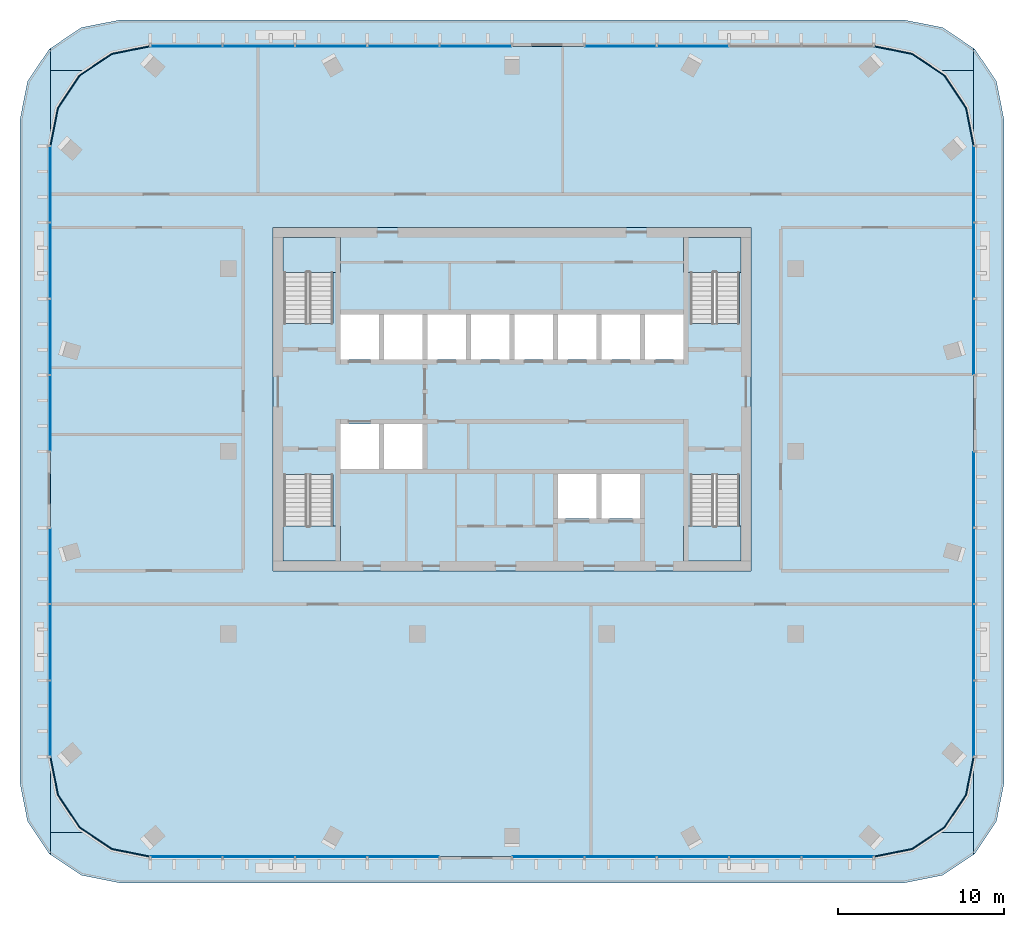
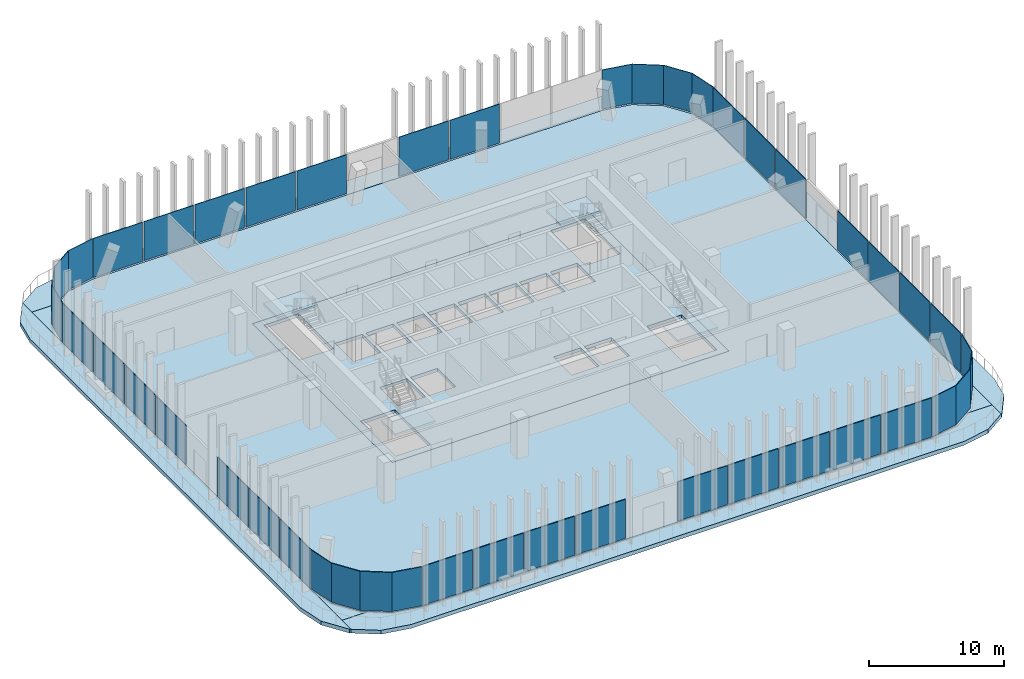
# One storey, part 6 of 16: 34 plates, 14 slabs, 16 elements without a shape of their own.
"""IFC4 building model written with IfcOpenShell, lengths in metres."""

from ifc_helpers import new_model, si_unit, direction, frame, origin, origin_2d, place, context, subcontext, project, spatial, polyline, rectangle, outline, extrude, material, layer, layer_set, type_object, element, aggregate, save


model = new_model("IFC4")

# Units and contexts
model_context = context("Model", 3, precision=1e-05, world=origin(), true_north=direction((0.0, 1.0)))
body_context = subcontext(model_context, "Body", "Model", "MODEL_VIEW")
ifc_project = project(units=[si_unit("LENGTHUNIT", "METRE"), si_unit("AREAUNIT", "SQUARE_METRE"), si_unit("VOLUMEUNIT", "CUBIC_METRE"), si_unit("PLANEANGLEUNIT", "RADIAN"), si_unit("MASSUNIT", "GRAM", prefix="KILO")], contexts=[model_context])

# Site, building, storey
site_placement = place(None, origin())
site = spatial("IfcSite", under=ifc_project, at=site_placement, CompositionType="ELEMENT")
building_placement = place(site_placement, origin())
building = spatial("IfcBuilding", under=site, at=building_placement, Name="Mopane Tessera Tower", CompositionType="ELEMENT")
storey_placement = place(building_placement, frame((0.0, 0.0, 321.39990234375)))
storey = spatial("IfcBuildingStorey", under=building, at=storey_placement, Name="L70", CompositionType="ELEMENT", Elevation=321.39990234375)

# Slab
ifc_material_1 = material(Name="Concrete C40/50", Category="concrete")
ifc_layer_1 = layer(ifc_material_1, 0.300048828125)
ifc_layer_set_1 = layer_set([ifc_layer_1], Name="Concrete C40/50")
slab_type_1 = type_object("IfcSlabType", Name="Core floor slab 300 mm", PredefinedType="FLOOR", material=ifc_layer_set_1)
slab_1_placement = place(storey_placement, frame((0.0, 0.0, -0.2998046875)))
element("IfcSlab", 1, at=slab_1_placement, inside=storey, type_object=slab_type_1, Name="L70 core floor slab", PredefinedType="FLOOR", context=body_context, shape_type="SweptSolid", body=[
    extrude(outline(polyline([(-14.39990234375, -7.199951171875), (14.39990234375, -7.199951171875), (14.39990234375, 13.5), (-14.39990234375, 13.5), (-14.39990234375, -7.199951171875)]), holes=[polyline([(-10.35009765625, -1.050048828125), (-8.02490234375, -1.050048828125), (-8.02490234375, 1.64990234375), (-10.35009765625, 1.64990234375), (-10.35009765625, -1.050048828125)]), polyline([(-7.72509765625, -1.050048828125), (-5.39990234375, -1.050048828125), (-5.39990234375, 1.64990234375), (-7.72509765625, 1.64990234375), (-7.72509765625, -1.050048828125)]), polyline([(-10.35009765625, 5.550048828125), (-8.02490234375, 5.550048828125), (-8.02490234375, 8.25), (-10.35009765625, 8.25), (-10.35009765625, 5.550048828125)]), polyline([(-7.72509765625, 5.550048828125), (-5.39990234375, 5.550048828125), (-5.39990234375, 8.25), (-7.72509765625, 8.25), (-7.72509765625, 5.550048828125)]), polyline([(-5.10009765625, 5.550048828125), (-2.77490234375, 5.550048828125), (-2.77490234375, 8.25), (-5.10009765625, 8.25), (-5.10009765625, 5.550048828125)]), polyline([(-2.47509765625, 5.550048828125), (-0.14990234375, 5.550048828125), (-0.14990234375, 8.25), (-2.47509765625, 8.25), (-2.47509765625, 5.550048828125)]), polyline([(0.14990234375, 5.550048828125), (2.47509765625, 5.550048828125), (2.47509765625, 8.25), (0.14990234375, 8.25), (0.14990234375, 5.550048828125)]), polyline([(2.77490234375, 5.550048828125), (5.10009765625, 5.550048828125), (5.10009765625, 8.25), (2.77490234375, 8.25), (2.77490234375, 5.550048828125)]), polyline([(5.39990234375, 5.550048828125), (7.72509765625, 5.550048828125), (7.72509765625, 8.25), (5.39990234375, 8.25), (5.39990234375, 5.550048828125)]), polyline([(8.02490234375, 5.550048828125), (10.35009765625, 5.550048828125), (10.35009765625, 8.25), (8.02490234375, 8.25), (8.02490234375, 5.550048828125)]), polyline([(2.77490234375, -4.050048828125), (5.10009765625, -4.050048828125), (5.10009765625, -1.35009765625), (2.77490234375, -1.35009765625), (2.77490234375, -4.050048828125)]), polyline([(5.39990234375, -4.050048828125), (7.72509765625, -4.050048828125), (7.72509765625, -1.35009765625), (5.39990234375, -1.35009765625), (5.39990234375, -4.050048828125)]), polyline([(-13.75, -1.405029296875), (-13.75, -6.60009765625), (-10.800048828125, -6.60009765625), (-10.800048828125, -1.405029296875), (-13.75, -1.405029296875)]), polyline([(-10.800048828125, 7.705078125), (-10.800048828125, 12.89990234375), (-13.75, 12.89990234375), (-13.75, 7.705078125), (-10.800048828125, 7.705078125)]), polyline([(10.75, -1.405029296875), (10.75, -6.60009765625), (13.699951171875, -6.60009765625), (13.699951171875, -1.405029296875), (10.75, -1.405029296875)]), polyline([(13.699951171875, 7.705078125), (13.699951171875, 12.89990234375), (10.75, 12.89990234375), (10.75, 7.705078125), (13.699951171875, 7.705078125)])]), origin(), (0.0, 0.0, 1.0), 0.2998046875),
])

# Stair, slab
ifc_material_2 = material(Name="Concrete C50/60", Category="concrete")
stair_type = type_object("IfcStairType", Name="Escape stair 1400 mm, riser 167 mm", PredefinedType="HALF_TURN_STAIR", material=ifc_material_2)
stair_1_placement = place(storey_placement, origin())
stair_1 = element("IfcStair", 2, at=stair_1_placement, inside=storey, type_object=stair_type, Name="L70 Escape stair south-west", PredefinedType="HALF_TURN_STAIR")
ifc_material_3 = material(Name="Concrete C50/60", Category="concrete")
ifc_layer_2 = layer(ifc_material_3, 0.199951171875)
ifc_layer_set_2 = layer_set([ifc_layer_2], Name="Concrete C50/60")
slab_type_2 = type_object("IfcSlabType", Name="Escape stair landing 200 mm", PredefinedType="LANDING", material=ifc_layer_set_2)
slab_2_placement = place(storey_placement, frame((0.0, 0.0, 1.800048828125)))
slab_2 = element("IfcSlab", 3, at=slab_2_placement, type_object=slab_type_2, Name="ST1 landing 1", PredefinedType="LANDING", context=body_context, shape_type="SweptSolid", body=[
    extrude(outline(polyline([(-13.800048828125, -4.47998046875), (-13.800048828125, -6.60009765625), (-10.35009765625, -6.60009765625), (-10.35009765625, -4.47998046875), (-13.800048828125, -4.47998046875)])), origin(), (0.0, 0.0, 1.0), 0.199951171875),
])
aggregate(stair_1, [slab_2])

stair_2_placement = place(storey_placement, origin())
stair_2 = element("IfcStair", 4, at=stair_2_placement, inside=storey, type_object=stair_type, Name="L70 Escape stair north-west", PredefinedType="HALF_TURN_STAIR")
slab_3_placement = place(storey_placement, frame((0.0, 0.0, 1.800048828125)))
slab_3 = element("IfcSlab", 5, at=slab_3_placement, type_object=slab_type_2, Name="ST2 landing 1", PredefinedType="LANDING", context=body_context, shape_type="SweptSolid", body=[
    extrude(outline(polyline([(-10.35009765625, 10.780029296875), (-10.35009765625, 12.89990234375), (-13.800048828125, 12.89990234375), (-13.800048828125, 10.780029296875), (-10.35009765625, 10.780029296875)])), origin(), (0.0, 0.0, 1.0), 0.199951171875),
])
aggregate(stair_2, [slab_3])

stair_3_placement = place(storey_placement, origin())
stair_3 = element("IfcStair", 6, at=stair_3_placement, inside=storey, type_object=stair_type, Name="L70 Escape stair south-east", PredefinedType="HALF_TURN_STAIR")
slab_4_placement = place(storey_placement, frame((0.0, 0.0, 1.800048828125)))
slab_4 = element("IfcSlab", 7, at=slab_4_placement, type_object=slab_type_2, Name="ST3 landing 1", PredefinedType="LANDING", context=body_context, shape_type="SweptSolid", body=[
    extrude(outline(polyline([(10.35009765625, -4.47998046875), (10.35009765625, -6.60009765625), (13.800048828125, -6.60009765625), (13.800048828125, -4.47998046875), (10.35009765625, -4.47998046875)])), origin(), (0.0, 0.0, 1.0), 0.199951171875),
])
aggregate(stair_3, [slab_4])

stair_4_placement = place(storey_placement, origin())
stair_4 = element("IfcStair", 8, at=stair_4_placement, inside=storey, type_object=stair_type, Name="L70 Escape stair north-east", PredefinedType="HALF_TURN_STAIR")
slab_5_placement = place(storey_placement, frame((0.0, 0.0, 1.800048828125)))
slab_5 = element("IfcSlab", 9, at=slab_5_placement, type_object=slab_type_2, Name="ST4 landing 1", PredefinedType="LANDING", context=body_context, shape_type="SweptSolid", body=[
    extrude(outline(polyline([(13.800048828125, 10.780029296875), (13.800048828125, 12.89990234375), (10.35009765625, 12.89990234375), (10.35009765625, 10.780029296875), (13.800048828125, 10.780029296875)])), origin(), (0.0, 0.0, 1.0), 0.199951171875),
])
aggregate(stair_4, [slab_5])

# Slabs
ifc_material_4 = material(Name="Concrete C40/50", Category="concrete")
ifc_layer_3 = layer(ifc_material_4, 0.35009765625)
ifc_layer_set_3 = layer_set([ifc_layer_3], Name="Concrete C40/50")
slab_type_3 = type_object("IfcSlabType", Name="Post-tensioned flat plate 350 mm", PredefinedType="FLOOR", material=ifc_layer_set_3)
slab_6_placement = place(storey_placement, frame((0.0, 0.0, -0.349853515625)))
element("IfcSlab", 10, at=slab_6_placement, inside=storey, type_object=slab_type_3, Name="Floor slab L70", PredefinedType="FLOOR", context=body_context, shape_type="SweptSolid", body=[
    extrude(outline(polyline([(-21.800048828125, -24.39990234375), (21.800048828125, -24.39990234375), (24.09619140625, -23.943359375), (26.042724609375, -22.642578125), (27.34326171875, -20.696044921875), (27.800048828125, -18.39990234375), (27.800048828125, 18.39990234375), (27.34326171875, 20.696044921875), (26.042724609375, 22.642578125), (24.09619140625, 23.943359375), (21.800048828125, 24.39990234375), (-21.800048828125, 24.39990234375), (-24.09619140625, 23.943359375), (-26.042724609375, 22.642578125), (-27.34326171875, 20.696044921875), (-27.800048828125, 18.39990234375), (-27.800048828125, -18.39990234375), (-27.34326171875, -20.696044921875), (-26.042724609375, -22.642578125), (-24.09619140625, -23.943359375), (-21.800048828125, -24.39990234375)]), holes=[polyline([(14.39990234375, -7.199951171875), (-14.39990234375, -7.199951171875), (-14.39990234375, 13.5), (14.39990234375, 13.5), (14.39990234375, -7.199951171875)])]), origin(), (0.0, 0.0, 1.0), 0.349853515625),
])
ifc_material_5 = material(Name="Concrete C40/50", Category="concrete")
ifc_layer_4 = layer(ifc_material_5, 0.35009765625)
ifc_layer_set_4 = layer_set([ifc_layer_4], Name="Concrete C40/50")
slab_type_4 = type_object("IfcSlabType", Name="Setback roof terrace slab 350 mm", PredefinedType="ROOF", material=ifc_layer_set_4)
slab_7_placement = place(storey_placement, frame((0.0, 0.0, -0.349853515625)))
element("IfcSlab", 11, at=slab_7_placement, inside=storey, type_object=slab_type_4, Name="Setback terrace slab L70", PredefinedType="ROOF", context=body_context, shape_type="SweptSolid", body=[
    extrude(outline(polyline([(-27.800048828125, -24.304443359375), (-27.800048828125, -18.39990234375), (-27.800048828125, 18.39990234375), (-27.800048828125, 24.304443359375), (-27.892578125, 24.24267578125), (-29.193359375, 22.296142578125), (-29.64990234375, 20.0), (-29.64990234375, -20.0), (-29.193359375, -22.296142578125), (-27.892578125, -24.24267578125), (-27.800048828125, -24.304443359375)])), origin(), (0.0, 0.0, 1.0), 0.349853515625),
])
slab_8_placement = place(storey_placement, frame((0.0, 0.0, -0.349853515625)))
element("IfcSlab", 12, at=slab_8_placement, inside=storey, type_object=slab_type_4, Name="Setback terrace slab L70", PredefinedType="ROOF", context=body_context, shape_type="SweptSolid", body=[
    extrude(outline(polyline([(-27.800048828125, -18.39990234375), (-27.800048828125, -22.9599609375), (-25.567626953125, -22.9599609375), (-26.042724609375, -22.642578125), (-27.34326171875, -20.696044921875), (-27.800048828125, -18.39990234375)])), origin(), (0.0, 0.0, 1.0), 0.349853515625),
])
slab_9_placement = place(storey_placement, frame((0.0, 0.0, -0.349853515625)))
element("IfcSlab", 13, at=slab_9_placement, inside=storey, type_object=slab_type_4, Name="Setback terrace slab L70", PredefinedType="ROOF", context=body_context, shape_type="SweptSolid", body=[
    extrude(outline(polyline([(-25.567626953125, 22.9599609375), (-27.800048828125, 22.9599609375), (-27.800048828125, 18.39990234375), (-27.34326171875, 20.696044921875), (-26.042724609375, 22.642578125), (-25.567626953125, 22.9599609375)])), origin(), (0.0, 0.0, 1.0), 0.349853515625),
])
slab_10_placement = place(storey_placement, frame((0.0, 0.0, -0.349853515625)))
element("IfcSlab", 14, at=slab_10_placement, inside=storey, type_object=slab_type_4, Name="Setback terrace slab L70", PredefinedType="ROOF", context=body_context, shape_type="SweptSolid", body=[
    extrude(outline(polyline([(-21.800048828125, -24.39990234375), (-24.09619140625, -23.943359375), (-25.567626953125, -22.9599609375), (-27.800048828125, -22.9599609375), (-27.800048828125, -24.304443359375), (-27.6572265625, -24.39990234375), (-25.946044921875, -25.543212890625), (-23.64990234375, -26.0), (23.64990234375, -26.0), (25.946044921875, -25.543212890625), (27.6572265625, -24.39990234375), (27.800048828125, -24.304443359375), (27.800048828125, -22.9599609375), (25.567626953125, -22.9599609375), (24.09619140625, -23.943359375), (21.800048828125, -24.39990234375), (-21.800048828125, -24.39990234375)])), origin(), (0.0, 0.0, 1.0), 0.349853515625),
])
slab_11_placement = place(storey_placement, frame((0.0, 0.0, -0.349853515625)))
element("IfcSlab", 15, at=slab_11_placement, inside=storey, type_object=slab_type_4, Name="Setback terrace slab L70", PredefinedType="ROOF", context=body_context, shape_type="SweptSolid", body=[
    extrude(outline(polyline([(21.800048828125, 24.39990234375), (24.09619140625, 23.943359375), (25.567626953125, 22.9599609375), (27.800048828125, 22.9599609375), (27.800048828125, 24.304443359375), (27.6572265625, 24.39990234375), (25.946044921875, 25.543212890625), (23.64990234375, 26.0), (-23.64990234375, 26.0), (-25.946044921875, 25.543212890625), (-27.6572265625, 24.39990234375), (-27.800048828125, 24.304443359375), (-27.800048828125, 22.9599609375), (-25.567626953125, 22.9599609375), (-24.09619140625, 23.943359375), (-21.800048828125, 24.39990234375), (21.800048828125, 24.39990234375)])), origin(), (0.0, 0.0, 1.0), 0.349853515625),
])
slab_12_placement = place(storey_placement, frame((0.0, 0.0, -0.349853515625)))
element("IfcSlab", 16, at=slab_12_placement, inside=storey, type_object=slab_type_4, Name="Setback terrace slab L70", PredefinedType="ROOF", context=body_context, shape_type="SweptSolid", body=[
    extrude(outline(polyline([(25.567626953125, -22.9599609375), (27.800048828125, -22.9599609375), (27.800048828125, -18.39990234375), (27.34326171875, -20.696044921875), (26.042724609375, -22.642578125), (25.567626953125, -22.9599609375)])), origin(), (0.0, 0.0, 1.0), 0.349853515625),
])
slab_13_placement = place(storey_placement, frame((0.0, 0.0, -0.349853515625)))
element("IfcSlab", 17, at=slab_13_placement, inside=storey, type_object=slab_type_4, Name="Setback terrace slab L70", PredefinedType="ROOF", context=body_context, shape_type="SweptSolid", body=[
    extrude(outline(polyline([(27.800048828125, 18.39990234375), (27.800048828125, 22.9599609375), (25.567626953125, 22.9599609375), (26.042724609375, 22.642578125), (27.34326171875, 20.696044921875), (27.800048828125, 18.39990234375)])), origin(), (0.0, 0.0, 1.0), 0.349853515625),
])
slab_14_placement = place(storey_placement, frame((0.0, 0.0, -0.349853515625)))
element("IfcSlab", 18, at=slab_14_placement, inside=storey, type_object=slab_type_4, Name="Setback terrace slab L70", PredefinedType="ROOF", context=body_context, shape_type="SweptSolid", body=[
    extrude(outline(polyline([(27.800048828125, 24.304443359375), (27.800048828125, 18.39990234375), (27.800048828125, -18.39990234375), (27.800048828125, -24.304443359375), (27.892578125, -24.24267578125), (29.193359375, -22.296142578125), (29.64990234375, -20.0), (29.64990234375, 20.0), (29.193359375, 22.296142578125), (27.892578125, 24.24267578125), (27.800048828125, 24.304443359375)])), origin(), (0.0, 0.0, 1.0), 0.349853515625),
])

# Curtain wall, plates
ifc_material_6 = material(Name="Aluminium frame", Category="aluminium")
curtain_wall_type = type_object("IfcCurtainWallType", Name="Unitised curtain wall", PredefinedType="NOTDEFINED", material=ifc_material_6)
curtain_wall_1_placement = place(storey_placement, origin())
curtain_wall_1 = element("IfcCurtainWall", 19, at=curtain_wall_1_placement, inside=storey, type_object=curtain_wall_type, Name="e:cw:L70:S:0", PredefinedType="NOTDEFINED")
ifc_material_7 = material(Name="Clear laminated glass", Category="glass")
ifc_layer_5 = layer(ifc_material_7, 0.06005859375)
ifc_layer_set_5 = layer_set([ifc_layer_5], Name="Clear laminated glass")
plate_type = type_object("IfcPlateType", Name="Unitised glazed unit", PredefinedType="CURTAIN_PANEL", material=ifc_layer_set_5)
plate_1_placement = place(storey_placement, frame((-19.6201171875, -24.429931640625, 0.1201171875), z_axis=(0.0, 0.0, 1.0), x_axis=(1.0, 0.0, 0.0)))
plate_1 = element("IfcPlate", 20, at=plate_1_placement, type_object=plate_type, Name="e:cw:L70:S:0:pn0", PredefinedType="CURTAIN_PANEL", context=body_context, shape_type="SweptSolid", body=[
    extrude(rectangle(XDim=4.260009765625, YDim=0.06005859375, at=origin_2d()), origin(), (0.0, 0.0, 1.0), 3.530029296875),
])
plate_2_placement = place(storey_placement, frame((-15.260009765625, -24.429931640625, 0.1201171875), z_axis=(0.0, 0.0, 1.0), x_axis=(1.0, 0.0, 0.0)))
plate_2 = element("IfcPlate", 21, at=plate_2_placement, type_object=plate_type, Name="e:cw:L70:S:0:pn1", PredefinedType="CURTAIN_PANEL", context=body_context, shape_type="SweptSolid", body=[
    extrude(rectangle(XDim=4.260009765625, YDim=0.06005859375, at=origin_2d()), origin(), (0.0, 0.0, 1.0), 3.530029296875),
])
plate_3_placement = place(storey_placement, frame((-10.89990234375, -24.429931640625, 0.1201171875), z_axis=(0.0, 0.0, 1.0), x_axis=(1.0, 0.0, 0.0)))
plate_3 = element("IfcPlate", 22, at=plate_3_placement, type_object=plate_type, Name="e:cw:L70:S:0:pn2", PredefinedType="CURTAIN_PANEL", context=body_context, shape_type="SweptSolid", body=[
    extrude(rectangle(XDim=4.260009765625, YDim=0.06005859375, at=origin_2d()), origin(), (0.0, 0.0, 1.0), 3.530029296875),
])
plate_4_placement = place(storey_placement, frame((-6.5400390625, -24.429931640625, 0.1201171875), z_axis=(0.0, 0.0, 1.0), x_axis=(1.0, 0.0, 0.0)))
plate_4 = element("IfcPlate", 23, at=plate_4_placement, type_object=plate_type, Name="e:cw:L70:S:0:pn3", PredefinedType="CURTAIN_PANEL", context=body_context, shape_type="SweptSolid", body=[
    extrude(rectangle(XDim=4.260009765625, YDim=0.06005859375, at=origin_2d()), origin(), (0.0, 0.0, 1.0), 3.530029296875),
])
aggregate(curtain_wall_1, [plate_1, plate_2, plate_3, plate_4])

curtain_wall_2_placement = place(storey_placement, origin())
curtain_wall_2 = element("IfcCurtainWall", 24, at=curtain_wall_2_placement, inside=storey, type_object=curtain_wall_type, Name="e:cw:L70:S:5", PredefinedType="NOTDEFINED")
plate_5_placement = place(storey_placement, frame((2.179931640625, -24.429931640625, 0.1201171875), z_axis=(0.0, 0.0, 1.0), x_axis=(1.0, 0.0, 0.0)))
plate_5 = element("IfcPlate", 25, at=plate_5_placement, type_object=plate_type, Name="e:cw:L70:S:5:pn5", PredefinedType="CURTAIN_PANEL", context=body_context, shape_type="SweptSolid", body=[
    extrude(rectangle(XDim=4.260009765625, YDim=0.06005859375, at=origin_2d()), origin(), (0.0, 0.0, 1.0), 3.530029296875),
])
plate_6_placement = place(storey_placement, frame((6.5400390625, -24.429931640625, 0.1201171875), z_axis=(0.0, 0.0, 1.0), x_axis=(1.0, 0.0, 0.0)))
plate_6 = element("IfcPlate", 26, at=plate_6_placement, type_object=plate_type, Name="e:cw:L70:S:5:pn6", PredefinedType="CURTAIN_PANEL", context=body_context, shape_type="SweptSolid", body=[
    extrude(rectangle(XDim=4.260009765625, YDim=0.06005859375, at=origin_2d()), origin(), (0.0, 0.0, 1.0), 3.530029296875),
])
plate_7_placement = place(storey_placement, frame((10.89990234375, -24.429931640625, 0.1201171875), z_axis=(0.0, 0.0, 1.0), x_axis=(1.0, 0.0, 0.0)))
plate_7 = element("IfcPlate", 27, at=plate_7_placement, type_object=plate_type, Name="e:cw:L70:S:5:pn7", PredefinedType="CURTAIN_PANEL", context=body_context, shape_type="SweptSolid", body=[
    extrude(rectangle(XDim=4.260009765625, YDim=0.06005859375, at=origin_2d()), origin(), (0.0, 0.0, 1.0), 3.530029296875),
])
plate_8_placement = place(storey_placement, frame((15.260009765625, -24.429931640625, 0.1201171875), z_axis=(0.0, 0.0, 1.0), x_axis=(1.0, 0.0, 0.0)))
plate_8 = element("IfcPlate", 28, at=plate_8_placement, type_object=plate_type, Name="e:cw:L70:S:5:pn8", PredefinedType="CURTAIN_PANEL", context=body_context, shape_type="SweptSolid", body=[
    extrude(rectangle(XDim=4.260009765625, YDim=0.06005859375, at=origin_2d()), origin(), (0.0, 0.0, 1.0), 3.530029296875),
])
plate_9_placement = place(storey_placement, frame((19.6201171875, -24.429931640625, 0.1201171875), z_axis=(0.0, 0.0, 1.0), x_axis=(1.0, 0.0, 0.0)))
plate_9 = element("IfcPlate", 29, at=plate_9_placement, type_object=plate_type, Name="e:cw:L70:S:5:pn9", PredefinedType="CURTAIN_PANEL", context=body_context, shape_type="SweptSolid", body=[
    extrude(rectangle(XDim=4.260009765625, YDim=0.06005859375, at=origin_2d()), origin(), (0.0, 0.0, 1.0), 3.530029296875),
])
aggregate(curtain_wall_2, [plate_5, plate_6, plate_7, plate_8, plate_9])

# Curtain wall, plate
curtain_wall_3_placement = place(storey_placement, origin())
curtain_wall_3 = element("IfcCurtainWall", 30, at=curtain_wall_3_placement, inside=storey, type_object=curtain_wall_type, Name="e:cw:L70:CS", PredefinedType="NOTDEFINED")
plate_10_placement = place(storey_placement, frame((0.0, 0.0, 0.1201171875)))
plate_10 = element("IfcPlate", 31, at=plate_10_placement, type_object=plate_type, Name="e:cw:L70:CS:pn", PredefinedType="CURTAIN_PANEL", context=body_context, shape_type="SweptSolid", body=[
    extrude(outline(polyline([(21.800048828125, -24.39990234375), (24.09619140625, -23.943359375), (26.042724609375, -22.642578125), (27.34326171875, -20.696044921875), (27.800048828125, -18.39990234375), (27.860107421875, -18.39990234375), (27.398681640625, -20.718994140625), (26.0849609375, -22.68505859375), (24.119140625, -23.998779296875), (21.800048828125, -24.4599609375), (21.800048828125, -24.39990234375)])), origin(), (0.0, 0.0, 1.0), 3.530029296875),
])
aggregate(curtain_wall_3, [plate_10])

# Curtain wall, plates
curtain_wall_4_placement = place(storey_placement, origin())
curtain_wall_4 = element("IfcCurtainWall", 32, at=curtain_wall_4_placement, inside=storey, type_object=curtain_wall_type, Name="e:cw:L70:E:0", PredefinedType="NOTDEFINED")
plate_11_placement = place(storey_placement, frame((27.830078125, -16.10009765625, 0.1201171875), z_axis=(0.0, 0.0, 1.0), x_axis=(0.0, 1.0, 0.0)))
plate_11 = element("IfcPlate", 33, at=plate_11_placement, type_object=plate_type, Name="e:cw:L70:E:0:pn0", PredefinedType="CURTAIN_PANEL", context=body_context, shape_type="SweptSolid", body=[
    extrude(rectangle(XDim=4.5, YDim=0.06005859375, at=origin_2d()), origin(), (0.0, 0.0, 1.0), 3.530029296875),
])
plate_12_placement = place(storey_placement, frame((27.830078125, -11.5, 0.1201171875), z_axis=(0.0, 0.0, 1.0), x_axis=(0.0, 1.0, 0.0)))
plate_12 = element("IfcPlate", 34, at=plate_12_placement, type_object=plate_type, Name="e:cw:L70:E:0:pn1", PredefinedType="CURTAIN_PANEL", context=body_context, shape_type="SweptSolid", body=[
    extrude(rectangle(XDim=4.5, YDim=0.06005859375, at=origin_2d()), origin(), (0.0, 0.0, 1.0), 3.530029296875),
])
plate_13_placement = place(storey_placement, frame((27.830078125, -6.89990234375, 0.1201171875), z_axis=(0.0, 0.0, 1.0), x_axis=(0.0, 1.0, 0.0)))
plate_13 = element("IfcPlate", 35, at=plate_13_placement, type_object=plate_type, Name="e:cw:L70:E:0:pn2", PredefinedType="CURTAIN_PANEL", context=body_context, shape_type="SweptSolid", body=[
    extrude(rectangle(XDim=4.5, YDim=0.06005859375, at=origin_2d()), origin(), (0.0, 0.0, 1.0), 3.530029296875),
])
plate_14_placement = place(storey_placement, frame((27.830078125, -2.300048828125, 0.1201171875), z_axis=(0.0, 0.0, 1.0), x_axis=(0.0, 1.0, 0.0)))
plate_14 = element("IfcPlate", 36, at=plate_14_placement, type_object=plate_type, Name="e:cw:L70:E:0:pn3", PredefinedType="CURTAIN_PANEL", context=body_context, shape_type="SweptSolid", body=[
    extrude(rectangle(XDim=4.5, YDim=0.06005859375, at=origin_2d()), origin(), (0.0, 0.0, 1.0), 3.530029296875),
])
aggregate(curtain_wall_4, [plate_11, plate_12, plate_13, plate_14])

curtain_wall_5_placement = place(storey_placement, origin())
curtain_wall_5 = element("IfcCurtainWall", 37, at=curtain_wall_5_placement, inside=storey, type_object=curtain_wall_type, Name="e:cw:L70:E:5", PredefinedType="NOTDEFINED")
plate_15_placement = place(storey_placement, frame((27.830078125, 6.89990234375, 0.1201171875), z_axis=(0.0, 0.0, 1.0), x_axis=(0.0, 1.0, 0.0)))
plate_15 = element("IfcPlate", 38, at=plate_15_placement, type_object=plate_type, Name="e:cw:L70:E:5:pn5", PredefinedType="CURTAIN_PANEL", context=body_context, shape_type="SweptSolid", body=[
    extrude(rectangle(XDim=4.5, YDim=0.06005859375, at=origin_2d()), origin(), (0.0, 0.0, 1.0), 3.530029296875),
])
plate_16_placement = place(storey_placement, frame((27.830078125, 11.5, 0.1201171875), z_axis=(0.0, 0.0, 1.0), x_axis=(0.0, 1.0, 0.0)))
plate_16 = element("IfcPlate", 39, at=plate_16_placement, type_object=plate_type, Name="e:cw:L70:E:5:pn6", PredefinedType="CURTAIN_PANEL", context=body_context, shape_type="SweptSolid", body=[
    extrude(rectangle(XDim=4.5, YDim=0.06005859375, at=origin_2d()), origin(), (0.0, 0.0, 1.0), 3.530029296875),
])
plate_17_placement = place(storey_placement, frame((27.830078125, 16.10009765625, 0.1201171875), z_axis=(0.0, 0.0, 1.0), x_axis=(0.0, 1.0, 0.0)))
plate_17 = element("IfcPlate", 40, at=plate_17_placement, type_object=plate_type, Name="e:cw:L70:E:5:pn7", PredefinedType="CURTAIN_PANEL", context=body_context, shape_type="SweptSolid", body=[
    extrude(rectangle(XDim=4.5, YDim=0.06005859375, at=origin_2d()), origin(), (0.0, 0.0, 1.0), 3.530029296875),
])
aggregate(curtain_wall_5, [plate_15, plate_16, plate_17])

# Curtain wall, plate
curtain_wall_6_placement = place(storey_placement, origin())
curtain_wall_6 = element("IfcCurtainWall", 41, at=curtain_wall_6_placement, inside=storey, type_object=curtain_wall_type, Name="e:cw:L70:CE", PredefinedType="NOTDEFINED")
plate_18_placement = place(storey_placement, frame((0.0, 0.0, 0.1201171875)))
plate_18 = element("IfcPlate", 42, at=plate_18_placement, type_object=plate_type, Name="e:cw:L70:CE:pn", PredefinedType="CURTAIN_PANEL", context=body_context, shape_type="SweptSolid", body=[
    extrude(outline(polyline([(27.800048828125, 18.39990234375), (27.34326171875, 20.696044921875), (26.042724609375, 22.642578125), (24.09619140625, 23.943359375), (21.800048828125, 24.39990234375), (21.800048828125, 24.4599609375), (24.119140625, 23.998779296875), (26.0849609375, 22.68505859375), (27.398681640625, 20.718994140625), (27.860107421875, 18.39990234375), (27.800048828125, 18.39990234375)])), origin(), (0.0, 0.0, 1.0), 3.530029296875),
])
aggregate(curtain_wall_6, [plate_18])

# Curtain wall, plates
curtain_wall_7_placement = place(storey_placement, origin())
curtain_wall_7 = element("IfcCurtainWall", 43, at=curtain_wall_7_placement, inside=storey, type_object=curtain_wall_type, Name="e:cw:L70:N:0", PredefinedType="NOTDEFINED")
plate_19_placement = place(storey_placement, frame((10.89990234375, 24.429931640625, 0.1201171875), z_axis=(0.0, 0.0, 1.0), x_axis=(-1.0, 0.0, 0.0)))
plate_19 = element("IfcPlate", 44, at=plate_19_placement, type_object=plate_type, Name="e:cw:L70:N:0:pn2", PredefinedType="CURTAIN_PANEL", context=body_context, shape_type="SweptSolid", body=[
    extrude(rectangle(XDim=4.260009765625, YDim=0.06005859375, at=origin_2d()), origin(), (0.0, 0.0, 1.0), 3.530029296875),
])
plate_20_placement = place(storey_placement, frame((6.5400390625, 24.429931640625, 0.1201171875), z_axis=(0.0, 0.0, 1.0), x_axis=(-1.0, 0.0, 0.0)))
plate_20 = element("IfcPlate", 45, at=plate_20_placement, type_object=plate_type, Name="e:cw:L70:N:0:pn3", PredefinedType="CURTAIN_PANEL", context=body_context, shape_type="SweptSolid", body=[
    extrude(rectangle(XDim=4.260009765625, YDim=0.06005859375, at=origin_2d()), origin(), (0.0, 0.0, 1.0), 3.530029296875),
])
aggregate(curtain_wall_7, [plate_19, plate_20])

curtain_wall_8_placement = place(storey_placement, origin())
curtain_wall_8 = element("IfcCurtainWall", 46, at=curtain_wall_8_placement, inside=storey, type_object=curtain_wall_type, Name="e:cw:L70:N:5", PredefinedType="NOTDEFINED")
plate_21_placement = place(storey_placement, frame((-2.179931640625, 24.429931640625, 0.1201171875), z_axis=(0.0, 0.0, 1.0), x_axis=(-1.0, 0.0, 0.0)))
plate_21 = element("IfcPlate", 47, at=plate_21_placement, type_object=plate_type, Name="e:cw:L70:N:5:pn5", PredefinedType="CURTAIN_PANEL", context=body_context, shape_type="SweptSolid", body=[
    extrude(rectangle(XDim=4.260009765625, YDim=0.06005859375, at=origin_2d()), origin(), (0.0, 0.0, 1.0), 3.530029296875),
])
plate_22_placement = place(storey_placement, frame((-6.5400390625, 24.429931640625, 0.1201171875), z_axis=(0.0, 0.0, 1.0), x_axis=(-1.0, 0.0, 0.0)))
plate_22 = element("IfcPlate", 48, at=plate_22_placement, type_object=plate_type, Name="e:cw:L70:N:5:pn6", PredefinedType="CURTAIN_PANEL", context=body_context, shape_type="SweptSolid", body=[
    extrude(rectangle(XDim=4.260009765625, YDim=0.06005859375, at=origin_2d()), origin(), (0.0, 0.0, 1.0), 3.530029296875),
])
plate_23_placement = place(storey_placement, frame((-10.89990234375, 24.429931640625, 0.1201171875), z_axis=(0.0, 0.0, 1.0), x_axis=(-1.0, 0.0, 0.0)))
plate_23 = element("IfcPlate", 49, at=plate_23_placement, type_object=plate_type, Name="e:cw:L70:N:5:pn7", PredefinedType="CURTAIN_PANEL", context=body_context, shape_type="SweptSolid", body=[
    extrude(rectangle(XDim=4.260009765625, YDim=0.06005859375, at=origin_2d()), origin(), (0.0, 0.0, 1.0), 3.530029296875),
])
plate_24_placement = place(storey_placement, frame((-15.260009765625, 24.429931640625, 0.1201171875), z_axis=(0.0, 0.0, 1.0), x_axis=(-1.0, 0.0, 0.0)))
plate_24 = element("IfcPlate", 50, at=plate_24_placement, type_object=plate_type, Name="e:cw:L70:N:5:pn8", PredefinedType="CURTAIN_PANEL", context=body_context, shape_type="SweptSolid", body=[
    extrude(rectangle(XDim=4.260009765625, YDim=0.06005859375, at=origin_2d()), origin(), (0.0, 0.0, 1.0), 3.530029296875),
])
plate_25_placement = place(storey_placement, frame((-19.6201171875, 24.429931640625, 0.1201171875), z_axis=(0.0, 0.0, 1.0), x_axis=(-1.0, 0.0, 0.0)))
plate_25 = element("IfcPlate", 51, at=plate_25_placement, type_object=plate_type, Name="e:cw:L70:N:5:pn9", PredefinedType="CURTAIN_PANEL", context=body_context, shape_type="SweptSolid", body=[
    extrude(rectangle(XDim=4.260009765625, YDim=0.06005859375, at=origin_2d()), origin(), (0.0, 0.0, 1.0), 3.530029296875),
])
aggregate(curtain_wall_8, [plate_21, plate_22, plate_23, plate_24, plate_25])

# Curtain wall, plate
curtain_wall_9_placement = place(storey_placement, origin())
curtain_wall_9 = element("IfcCurtainWall", 52, at=curtain_wall_9_placement, inside=storey, type_object=curtain_wall_type, Name="e:cw:L70:CN", PredefinedType="NOTDEFINED")
plate_26_placement = place(storey_placement, frame((0.0, 0.0, 0.1201171875)))
plate_26 = element("IfcPlate", 53, at=plate_26_placement, type_object=plate_type, Name="e:cw:L70:CN:pn", PredefinedType="CURTAIN_PANEL", context=body_context, shape_type="SweptSolid", body=[
    extrude(outline(polyline([(-21.800048828125, 24.39990234375), (-24.09619140625, 23.943359375), (-26.042724609375, 22.642578125), (-27.34326171875, 20.696044921875), (-27.800048828125, 18.39990234375), (-27.860107421875, 18.39990234375), (-27.398681640625, 20.718994140625), (-26.0849609375, 22.68505859375), (-24.119140625, 23.998779296875), (-21.800048828125, 24.4599609375), (-21.800048828125, 24.39990234375)])), origin(), (0.0, 0.0, 1.0), 3.530029296875),
])
aggregate(curtain_wall_9, [plate_26])

# Curtain wall, plates
curtain_wall_10_placement = place(storey_placement, origin())
curtain_wall_10 = element("IfcCurtainWall", 54, at=curtain_wall_10_placement, inside=storey, type_object=curtain_wall_type, Name="e:cw:L70:W:0", PredefinedType="NOTDEFINED")
plate_27_placement = place(storey_placement, frame((-27.830078125, 16.10009765625, 0.1201171875), z_axis=(0.0, 0.0, 1.0), x_axis=(0.0, -1.0, 0.0)))
plate_27 = element("IfcPlate", 55, at=plate_27_placement, type_object=plate_type, Name="e:cw:L70:W:0:pn0", PredefinedType="CURTAIN_PANEL", context=body_context, shape_type="SweptSolid", body=[
    extrude(rectangle(XDim=4.5, YDim=0.06005859375, at=origin_2d()), origin(), (0.0, 0.0, 1.0), 3.530029296875),
])
plate_28_placement = place(storey_placement, frame((-27.830078125, 11.5, 0.1201171875), z_axis=(0.0, 0.0, 1.0), x_axis=(0.0, -1.0, 0.0)))
plate_28 = element("IfcPlate", 56, at=plate_28_placement, type_object=plate_type, Name="e:cw:L70:W:0:pn1", PredefinedType="CURTAIN_PANEL", context=body_context, shape_type="SweptSolid", body=[
    extrude(rectangle(XDim=4.5, YDim=0.06005859375, at=origin_2d()), origin(), (0.0, 0.0, 1.0), 3.530029296875),
])
plate_29_placement = place(storey_placement, frame((-27.830078125, 6.89990234375, 0.1201171875), z_axis=(0.0, 0.0, 1.0), x_axis=(0.0, -1.0, 0.0)))
plate_29 = element("IfcPlate", 57, at=plate_29_placement, type_object=plate_type, Name="e:cw:L70:W:0:pn2", PredefinedType="CURTAIN_PANEL", context=body_context, shape_type="SweptSolid", body=[
    extrude(rectangle(XDim=4.5, YDim=0.06005859375, at=origin_2d()), origin(), (0.0, 0.0, 1.0), 3.530029296875),
])
plate_30_placement = place(storey_placement, frame((-27.830078125, 2.300048828125, 0.1201171875), z_axis=(0.0, 0.0, 1.0), x_axis=(0.0, -1.0, 0.0)))
plate_30 = element("IfcPlate", 58, at=plate_30_placement, type_object=plate_type, Name="e:cw:L70:W:0:pn3", PredefinedType="CURTAIN_PANEL", context=body_context, shape_type="SweptSolid", body=[
    extrude(rectangle(XDim=4.5, YDim=0.06005859375, at=origin_2d()), origin(), (0.0, 0.0, 1.0), 3.530029296875),
])
aggregate(curtain_wall_10, [plate_27, plate_28, plate_29, plate_30])

curtain_wall_11_placement = place(storey_placement, origin())
curtain_wall_11 = element("IfcCurtainWall", 59, at=curtain_wall_11_placement, inside=storey, type_object=curtain_wall_type, Name="e:cw:L70:W:5", PredefinedType="NOTDEFINED")
plate_31_placement = place(storey_placement, frame((-27.830078125, -6.89990234375, 0.1201171875), z_axis=(0.0, 0.0, 1.0), x_axis=(0.0, -1.0, 0.0)))
plate_31 = element("IfcPlate", 60, at=plate_31_placement, type_object=plate_type, Name="e:cw:L70:W:5:pn5", PredefinedType="CURTAIN_PANEL", context=body_context, shape_type="SweptSolid", body=[
    extrude(rectangle(XDim=4.5, YDim=0.06005859375, at=origin_2d()), origin(), (0.0, 0.0, 1.0), 3.530029296875),
])
plate_32_placement = place(storey_placement, frame((-27.830078125, -11.5, 0.1201171875), z_axis=(0.0, 0.0, 1.0), x_axis=(0.0, -1.0, 0.0)))
plate_32 = element("IfcPlate", 61, at=plate_32_placement, type_object=plate_type, Name="e:cw:L70:W:5:pn6", PredefinedType="CURTAIN_PANEL", context=body_context, shape_type="SweptSolid", body=[
    extrude(rectangle(XDim=4.5, YDim=0.06005859375, at=origin_2d()), origin(), (0.0, 0.0, 1.0), 3.530029296875),
])
plate_33_placement = place(storey_placement, frame((-27.830078125, -16.10009765625, 0.1201171875), z_axis=(0.0, 0.0, 1.0), x_axis=(0.0, -1.0, 0.0)))
plate_33 = element("IfcPlate", 62, at=plate_33_placement, type_object=plate_type, Name="e:cw:L70:W:5:pn7", PredefinedType="CURTAIN_PANEL", context=body_context, shape_type="SweptSolid", body=[
    extrude(rectangle(XDim=4.5, YDim=0.06005859375, at=origin_2d()), origin(), (0.0, 0.0, 1.0), 3.530029296875),
])
aggregate(curtain_wall_11, [plate_31, plate_32, plate_33])

# Curtain wall, plate
curtain_wall_12_placement = place(storey_placement, origin())
curtain_wall_12 = element("IfcCurtainWall", 63, at=curtain_wall_12_placement, inside=storey, type_object=curtain_wall_type, Name="e:cw:L70:CW", PredefinedType="NOTDEFINED")
plate_34_placement = place(storey_placement, frame((0.0, 0.0, 0.1201171875)))
plate_34 = element("IfcPlate", 64, at=plate_34_placement, type_object=plate_type, Name="e:cw:L70:CW:pn", PredefinedType="CURTAIN_PANEL", context=body_context, shape_type="SweptSolid", body=[
    extrude(outline(polyline([(-27.800048828125, -18.39990234375), (-27.34326171875, -20.696044921875), (-26.042724609375, -22.642578125), (-24.09619140625, -23.943359375), (-21.800048828125, -24.39990234375), (-21.800048828125, -24.4599609375), (-24.119140625, -23.998779296875), (-26.0849609375, -22.68505859375), (-27.398681640625, -20.718994140625), (-27.860107421875, -18.39990234375), (-27.800048828125, -18.39990234375)])), origin(), (0.0, 0.0, 1.0), 3.530029296875),
])
aggregate(curtain_wall_12, [plate_34])

save(model, "model.ifc")
